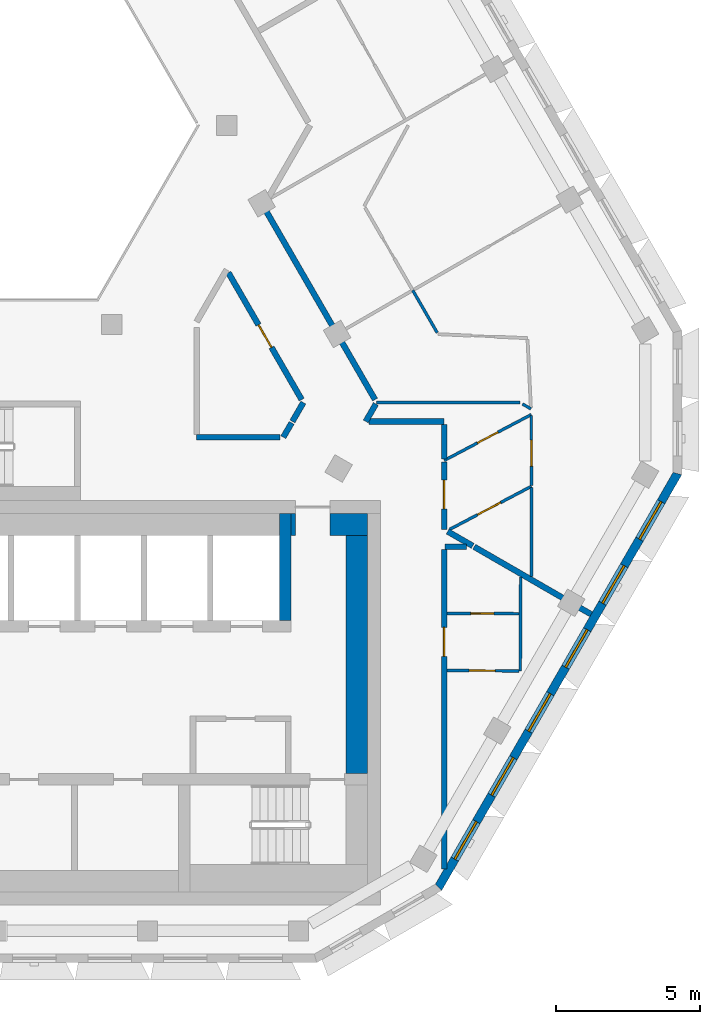
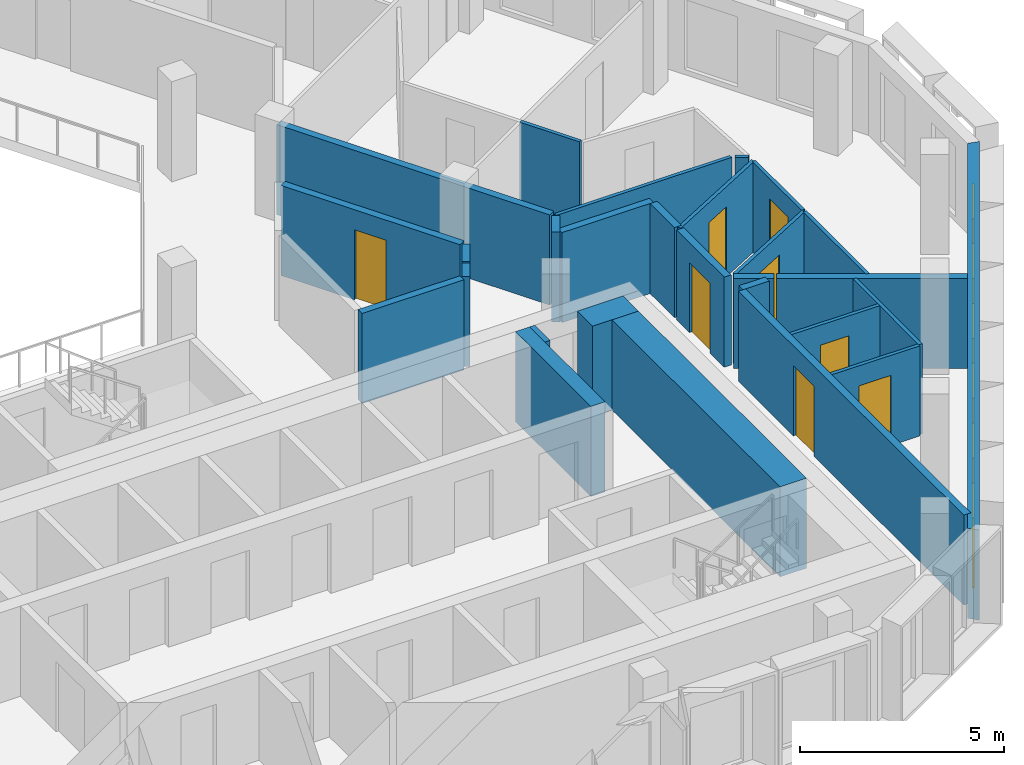
# One storey, part 6 of 16: 28 walls, 8 doors, 6 windows, 14 openings.
"""IFC4 building model written with IfcOpenShell, lengths in metres."""

from ifc_helpers import new_model, si_unit, direction, frame, frame_2d, origin, place, context, subcontext, project, spatial, polyline, rectangle, outline, extrude, material, layer, layer_set, type_object, element, fill, save


model = new_model("IFC4")

# Units and contexts
model_context = context("Model", 3, precision=1e-05, world=origin(), true_north=direction((0.0, 1.0)))
body_context = subcontext(model_context, "Body", "Model", "MODEL_VIEW")
ifc_project = project(units=[si_unit("LENGTHUNIT", "METRE"), si_unit("AREAUNIT", "SQUARE_METRE"), si_unit("VOLUMEUNIT", "CUBIC_METRE"), si_unit("PLANEANGLEUNIT", "RADIAN"), si_unit("MASSUNIT", "GRAM", prefix="KILO")], contexts=[model_context])

# Site, building, storey
site_placement = place(None, origin())
site = spatial("IfcSite", under=ifc_project, at=site_placement, CompositionType="ELEMENT")
building_placement = place(site_placement, origin())
building = spatial("IfcBuilding", under=site, at=building_placement, Name="Beryl Residences", CompositionType="ELEMENT")
storey_placement = place(building_placement, frame((0.0, 0.0, 220.800048828125)))
storey = spatial("IfcBuildingStorey", under=building, at=storey_placement, Name="L68", CompositionType="ELEMENT", Elevation=220.800048828125)

# Wall, openings, windows
ifc_material_1 = material(Name="Composite metal panel with mineral wool insulation")
ifc_layer_1 = layer(ifc_material_1, 0.300048828125)
ifc_layer_set_1 = layer_set([ifc_layer_1], Name="ES1 pale metal composite panel wall 300 mm")
wall_type_1 = type_object("IfcWallType", Name="ES1 pale metal composite panel wall 300 mm", PredefinedType="SOLIDWALL", material=ifc_layer_set_1)
wall_1_placement = place(storey_placement, frame((15.284912109375, -18.425048828125, 0.0), z_axis=(0.0, 0.0, 1.0), x_axis=(0.500012653391, 0.866018098222, 0.0)))
wall_1 = element("IfcWall", 1, at=wall_1_placement, inside=storey, type_object=wall_type_1, Name="ES1 external wall L68 SE", PredefinedType="SOLIDWALL", context=body_context, shape_type="SweptSolid", body=[
    extrude(outline(polyline([(0.0, -0.14990234375), (16.6279296875, -0.14990234375), (16.547607421875, 0.14990234375), (0.080322265625, 0.14990234375), (0.0, -0.14990234375)])), origin(), (0.0, 0.0, 1.0), 2.699951171875),
])
opening_1_placement = place(wall_1_placement, frame((1.1650390625, 0.0, 0.14990234375)))
opening_1 = element("IfcOpeningElement", 2, at=opening_1_placement, cuts=wall_1, Name="Opening W1", PredefinedType="OPENING", context=body_context, shape_type="SweptSolid", body=[
    extrude(rectangle(XDim=1.5, YDim=2.10009765625, at=frame_2d((0.75, 1.050048828125))), frame((0.0, 0.159912109375, 0.0), z_axis=(0.0, -1.0, 0.0), x_axis=(1.0, 0.0, 0.0)), (0.0, 0.0, 1.0), 0.320068359375),
])
opening_2_placement = place(wall_1_placement, frame((3.72412109375, 0.0, 0.14990234375)))
opening_2 = element("IfcOpeningElement", 3, at=opening_2_placement, cuts=wall_1, Name="Opening W1", PredefinedType="OPENING", context=body_context, shape_type="SweptSolid", body=[
    extrude(rectangle(XDim=1.5, YDim=2.10009765625, at=frame_2d((0.75, 1.050048828125))), frame((0.0, 0.159912109375, 0.0), z_axis=(0.0, -1.0, 0.0), x_axis=(1.0, 0.0, 0.0)), (0.0, 0.0, 1.0), 0.320068359375),
])
opening_3_placement = place(wall_1_placement, frame((6.282958984375, 0.0, 0.14990234375)))
opening_3 = element("IfcOpeningElement", 4, at=opening_3_placement, cuts=wall_1, Name="Opening W1", PredefinedType="OPENING", context=body_context, shape_type="SweptSolid", body=[
    extrude(rectangle(XDim=1.5, YDim=2.10009765625, at=frame_2d((0.75, 1.050048828125))), frame((0.0, 0.159912109375, 0.0), z_axis=(0.0, -1.0, 0.0), x_axis=(1.0, 0.0, 0.0)), (0.0, 0.0, 1.0), 0.320068359375),
])
opening_4_placement = place(wall_1_placement, frame((8.843017578125, 0.0, 0.14990234375)))
opening_4 = element("IfcOpeningElement", 5, at=opening_4_placement, cuts=wall_1, Name="Opening W1", PredefinedType="OPENING", context=body_context, shape_type="SweptSolid", body=[
    extrude(rectangle(XDim=1.5, YDim=2.10009765625, at=frame_2d((0.75, 1.050048828125))), frame((0.0, 0.159912109375, 0.0), z_axis=(0.0, -1.0, 0.0), x_axis=(1.0, 0.0, 0.0)), (0.0, 0.0, 1.0), 0.320068359375),
])
opening_5_placement = place(wall_1_placement, frame((11.402099609375, 0.0, 0.14990234375)))
opening_5 = element("IfcOpeningElement", 6, at=opening_5_placement, cuts=wall_1, Name="Opening W1", PredefinedType="OPENING", context=body_context, shape_type="SweptSolid", body=[
    extrude(rectangle(XDim=1.5, YDim=2.10009765625, at=frame_2d((0.75, 1.050048828125))), frame((0.0, 0.159912109375, 0.0), z_axis=(0.0, -1.0, 0.0), x_axis=(1.0, 0.0, 0.0)), (0.0, 0.0, 1.0), 0.320068359375),
])
opening_6_placement = place(wall_1_placement, frame((13.9619140625, 0.0, 0.14990234375)))
opening_6 = element("IfcOpeningElement", 7, at=opening_6_placement, cuts=wall_1, Name="Opening W1", PredefinedType="OPENING", context=body_context, shape_type="SweptSolid", body=[
    extrude(rectangle(XDim=1.5, YDim=2.10009765625, at=frame_2d((0.75, 1.050048828125))), frame((0.0, 0.159912109375, 0.0), z_axis=(0.0, -1.0, 0.0), x_axis=(1.0, 0.0, 0.0)), (0.0, 0.0, 1.0), 0.320068359375),
])
ifc_material_2 = material(Name="Aluminium and clear glass", Category="aluminium")
window_type = type_object("IfcWindowType", Name="W1 cell window 1500 x 2100 mm", PartitioningType="SINGLE_PANEL", PredefinedType="WINDOW", material=ifc_material_2)
window_1_placement = place(opening_1_placement, origin())
window_1 = element("IfcWindow", 8, at=window_1_placement, inside=storey, type_object=window_type, Name="W1 window L68 SE 1", OverallHeight=2.10009765625, OverallWidth=1.5, PartitioningType="SINGLE_PANEL", PredefinedType="WINDOW", context=body_context, shape_type="SweptSolid", body=[
    extrude(rectangle(XDim=1.5, YDim=2.10009765625, at=frame_2d((0.75, 1.050048828125))), frame((0.0, 0.030029296875, 0.0), z_axis=(0.0, -1.0, 0.0), x_axis=(1.0, 0.0, 0.0)), (0.0, 0.0, 1.0), 0.06005859375),
])
fill(opening_1, window_1)
window_2_placement = place(opening_2_placement, origin())
window_2 = element("IfcWindow", 9, at=window_2_placement, inside=storey, type_object=window_type, Name="W1 window L68 SE 2", OverallHeight=2.10009765625, OverallWidth=1.5, PartitioningType="SINGLE_PANEL", PredefinedType="WINDOW", context=body_context, shape_type="SweptSolid", body=[
    extrude(rectangle(XDim=1.5, YDim=2.10009765625, at=frame_2d((0.75, 1.050048828125))), frame((0.0, 0.030029296875, 0.0), z_axis=(0.0, -1.0, 0.0), x_axis=(1.0, 0.0, 0.0)), (0.0, 0.0, 1.0), 0.06005859375),
])
fill(opening_2, window_2)
window_3_placement = place(opening_3_placement, origin())
window_3 = element("IfcWindow", 10, at=window_3_placement, inside=storey, type_object=window_type, Name="W1 window L68 SE 3", OverallHeight=2.10009765625, OverallWidth=1.5, PartitioningType="SINGLE_PANEL", PredefinedType="WINDOW", context=body_context, shape_type="SweptSolid", body=[
    extrude(rectangle(XDim=1.5, YDim=2.10009765625, at=frame_2d((0.75, 1.050048828125))), frame((0.0, 0.030029296875, 0.0), z_axis=(0.0, -1.0, 0.0), x_axis=(1.0, 0.0, 0.0)), (0.0, 0.0, 1.0), 0.06005859375),
])
fill(opening_3, window_3)
window_4_placement = place(opening_4_placement, origin())
window_4 = element("IfcWindow", 11, at=window_4_placement, inside=storey, type_object=window_type, Name="W1 window L68 SE 4", OverallHeight=2.10009765625, OverallWidth=1.5, PartitioningType="SINGLE_PANEL", PredefinedType="WINDOW", context=body_context, shape_type="SweptSolid", body=[
    extrude(rectangle(XDim=1.5, YDim=2.10009765625, at=frame_2d((0.75, 1.050048828125))), frame((0.0, 0.030029296875, 0.0), z_axis=(0.0, -1.0, 0.0), x_axis=(1.0, 0.0, 0.0)), (0.0, 0.0, 1.0), 0.06005859375),
])
fill(opening_4, window_4)
window_5_placement = place(opening_5_placement, origin())
window_5 = element("IfcWindow", 12, at=window_5_placement, inside=storey, type_object=window_type, Name="W1 window L68 SE 5", OverallHeight=2.10009765625, OverallWidth=1.5, PartitioningType="SINGLE_PANEL", PredefinedType="WINDOW", context=body_context, shape_type="SweptSolid", body=[
    extrude(rectangle(XDim=1.5, YDim=2.10009765625, at=frame_2d((0.75, 1.050048828125))), frame((0.0, 0.030029296875, 0.0), z_axis=(0.0, -1.0, 0.0), x_axis=(1.0, 0.0, 0.0)), (0.0, 0.0, 1.0), 0.06005859375),
])
fill(opening_5, window_5)
window_6_placement = place(opening_6_placement, origin())
window_6 = element("IfcWindow", 13, at=window_6_placement, inside=storey, type_object=window_type, Name="W1 window L68 SE 6", OverallHeight=2.10009765625, OverallWidth=1.5, PartitioningType="SINGLE_PANEL", PredefinedType="WINDOW", context=body_context, shape_type="SweptSolid", body=[
    extrude(rectangle(XDim=1.5, YDim=2.10009765625, at=frame_2d((0.75, 1.050048828125))), frame((0.0, 0.030029296875, 0.0), z_axis=(0.0, -1.0, 0.0), x_axis=(1.0, 0.0, 0.0)), (0.0, 0.0, 1.0), 0.06005859375),
])
fill(opening_6, window_6)

# Wall, opening, door
ifc_material_3 = material(Name="Gypsum board partition on steel studs", Category="steel")
ifc_layer_2 = layer(ifc_material_3, 0.10009765625)
ifc_layer_set_2 = layer_set([ifc_layer_2], Name="PT1 partition 100 mm gypsum board on steel studs")
wall_type_2 = type_object("IfcWallType", Name="PT1 partition 100 mm gypsum board on steel studs", PredefinedType="PARTITIONING", material=ifc_layer_set_2)
wall_2_placement = place(storey_placement, frame((15.60009765625, -8.90087890625, 0.0), z_axis=(0.0, 0.0, 1.0), x_axis=(0.999986038514, -0.005284200615, 0.0)))
wall_2 = element("IfcWall", 14, at=wall_2_placement, inside=storey, type_object=wall_type_2, Name="Wall PT1 L68 001", PredefinedType="PARTITIONING", context=body_context, shape_type="SweptSolid", body=[
    extrude(rectangle(XDim=2.494873046875, YDim=0.10009765625, at=frame_2d((1.24755859375, 0.0))), origin(), (0.0, 0.0, 1.0), 2.699951171875),
])
opening_7_placement = place(wall_2_placement, frame((0.822998046875, 0.0, 0.0)))
opening_7 = element("IfcOpeningElement", 15, at=opening_7_placement, cuts=wall_2, Name="Opening D1903", PredefinedType="OPENING", context=body_context, shape_type="SweptSolid", body=[
    extrude(rectangle(XDim=0.800048828125, YDim=2.10009765625, at=frame_2d((0.39990234375, 1.050048828125))), frame((0.0, 0.06005859375, 0.0), z_axis=(0.0, -1.0, 0.0), x_axis=(1.0, 0.0, 0.0)), (0.0, 0.0, 1.0), 0.1201171875),
])
ifc_material_4 = material(Name="Timber door leaf", Category="wood")
door_type_1 = type_object("IfcDoorType", Name="D3 bathroom door 800 x 2100 mm", OperationType="SINGLE_SWING_LEFT", PredefinedType="DOOR", material=ifc_material_4)
door_1_placement = place(opening_7_placement, origin())
door_1 = element("IfcDoor", 16, at=door_1_placement, inside=storey, type_object=door_type_1, Name="Door D1903 L68 001", OperationType="SINGLE_SWING_LEFT", OverallHeight=2.10009765625, OverallWidth=0.800048828125, PredefinedType="DOOR", context=body_context, shape_type="SweptSolid", body=[
    extrude(rectangle(XDim=0.800048828125, YDim=2.10009765625, at=frame_2d((0.39990234375, 1.050048828125))), frame((0.0, 0.02490234375, 0.0), z_axis=(0.0, -1.0, 0.0), x_axis=(1.0, 0.0, 0.0)), (0.0, 0.0, 1.0), 0.050048828125),
])
fill(opening_7, door_1)

wall_3_placement = place(storey_placement, frame((15.60009765625, -10.881103515625, 0.0), z_axis=(0.0, 0.0, 1.0), x_axis=(0.999986431575, -0.005209286502, 0.0)))
wall_3 = element("IfcWall", 17, at=wall_3_placement, inside=storey, type_object=wall_type_2, Name="Wall PT1 L68 002", PredefinedType="PARTITIONING", context=body_context, shape_type="SweptSolid", body=[
    extrude(rectangle(XDim=2.48388671875, YDim=0.10009765625, at=frame_2d((1.241943359375, 0.0))), origin(), (0.0, 0.0, 1.0), 2.699951171875),
])
opening_8_placement = place(wall_3_placement, frame((0.76806640625, 0.0, 0.0)))
opening_8 = element("IfcOpeningElement", 18, at=opening_8_placement, cuts=wall_3, Name="Opening D1902", PredefinedType="OPENING", context=body_context, shape_type="SweptSolid", body=[
    extrude(rectangle(XDim=0.89990234375, YDim=2.10009765625, at=frame_2d((0.449951171875, 1.050048828125))), frame((0.0, 0.06005859375, 0.0), z_axis=(0.0, -1.0, 0.0), x_axis=(1.0, 0.0, 0.0)), (0.0, 0.0, 1.0), 0.1201171875),
])
ifc_material_5 = material(Name="Timber door leaf", Category="wood")
door_type_2 = type_object("IfcDoorType", Name="D2 room door 900 x 2100 mm", OperationType="SINGLE_SWING_LEFT", PredefinedType="DOOR", material=ifc_material_5)
door_2_placement = place(opening_8_placement, origin())
door_2 = element("IfcDoor", 19, at=door_2_placement, inside=storey, type_object=door_type_2, Name="Door D1902 L68 001", OperationType="SINGLE_SWING_RIGHT", OverallHeight=2.10009765625, OverallWidth=0.89990234375, PredefinedType="DOOR", context=body_context, shape_type="SweptSolid", body=[
    extrude(rectangle(XDim=0.89990234375, YDim=2.10009765625, at=frame_2d((0.449951171875, 1.050048828125))), frame((0.0, 0.02490234375, 0.0), z_axis=(0.0, -1.0, 0.0), x_axis=(1.0, 0.0, 0.0)), (0.0, 0.0, 1.0), 0.050048828125),
])
fill(opening_8, door_2)

wall_4_placement = place(storey_placement, frame((18.514892578125, -2.052978515625, 0.0), z_axis=(0.0, 0.0, 1.0), x_axis=(0.003338710651, -0.99999442649, 0.0)))
wall_4 = element("IfcWall", 20, at=wall_4_placement, inside=storey, type_object=wall_type_2, Name="Wall PT1 L68 010", PredefinedType="PARTITIONING", context=body_context, shape_type="SweptSolid", body=[
    extrude(rectangle(XDim=2.4130859375, YDim=0.10009765625, at=frame_2d((1.20654296875, 0.0))), origin(), (0.0, 0.0, 1.0), 2.699951171875),
])
opening_9_placement = place(wall_4_placement, frame((0.84912109375, 0.0, 0.0)))
opening_9 = element("IfcOpeningElement", 21, at=opening_9_placement, cuts=wall_4, Name="Opening D1907", PredefinedType="OPENING", context=body_context, shape_type="SweptSolid", body=[
    extrude(rectangle(XDim=0.89990234375, YDim=2.10009765625, at=frame_2d((0.449951171875, 1.050048828125))), frame((0.0, 0.06005859375, 0.0), z_axis=(0.0, -1.0, 0.0), x_axis=(1.0, 0.0, 0.0)), (0.0, 0.0, 1.0), 0.1201171875),
])
door_3_placement = place(opening_9_placement, origin())
door_3 = element("IfcDoor", 22, at=door_3_placement, inside=storey, type_object=door_type_2, Name="Door D1907 L68 001", OperationType="SINGLE_SWING_LEFT", OverallHeight=2.10009765625, OverallWidth=0.89990234375, PredefinedType="DOOR", context=body_context, shape_type="SweptSolid", body=[
    extrude(rectangle(XDim=0.89990234375, YDim=2.10009765625, at=frame_2d((0.449951171875, 1.050048828125))), frame((0.0, 0.02490234375, 0.0), z_axis=(0.0, -1.0, 0.0), x_axis=(1.0, 0.0, 0.0)), (0.0, 0.0, 1.0), 0.050048828125),
])
fill(opening_9, door_3)

# Walls
wall_5_placement = place(storey_placement, frame((18.2119140625, -1.64892578125, 0.0), z_axis=(0.0, 0.0, 1.0), x_axis=(0.865622947871, -0.500696427109, 0.0)))
element("IfcWall", 23, at=wall_5_placement, inside=storey, type_object=wall_type_2, Name="Wall PT1 L68 016", PredefinedType="PARTITIONING", context=body_context, shape_type="SweptSolid", body=[
    extrude(rectangle(XDim=0.33984375, YDim=0.10009765625, at=frame_2d((0.169921875, 0.0))), origin(), (0.0, 0.0, 1.0), 2.699951171875),
])
wall_6_placement = place(storey_placement, frame((13.1630859375, -1.59912109375, 0.0), z_axis=(0.0, 0.0, 1.0), x_axis=(1.0, 0.0, 0.0)))
element("IfcWall", 24, at=wall_6_placement, inside=storey, type_object=wall_type_2, Name="Wall PT1 L68 020", PredefinedType="PARTITIONING", context=body_context, shape_type="SweptSolid", body=[
    extrude(rectangle(XDim=4.9619140625, YDim=0.10009765625, at=frame_2d((2.48095703125, 0.0))), origin(), (0.0, 0.0, 1.0), 2.699951171875),
])
wall_7_placement = place(storey_placement, frame((18.135009765625, -10.89306640625, 0.0), z_axis=(0.0, 0.0, 1.0), x_axis=(0.005255182688, 0.999986191432, 0.0)))
element("IfcWall", 25, at=wall_7_placement, inside=storey, type_object=wall_type_2, Name="Wall PT1 L68 032", PredefinedType="PARTITIONING", context=body_context, shape_type="SweptSolid", body=[
    extrude(rectangle(XDim=3.251953125, YDim=0.10009765625, at=frame_2d((1.6259765625, 0.0))), origin(), (0.0, 0.0, 1.0), 2.699951171875),
])
wall_8_placement = place(storey_placement, frame((18.52392578125, -7.625, 0.0), z_axis=(0.0, 0.0, 1.0), x_axis=(0.0, 1.0, 0.0)))
element("IfcWall", 26, at=wall_8_placement, inside=storey, type_object=wall_type_2, Name="Wall PT1 L68 034", PredefinedType="PARTITIONING", context=body_context, shape_type="SweptSolid", body=[
    extrude(rectangle(XDim=3.089111328125, YDim=0.10009765625, at=frame_2d((1.54443359375, 0.0))), origin(), (0.0, 0.0, 1.0), 2.699951171875),
])

# Wall, opening, door
wall_9_placement = place(storey_placement, frame((15.5, -3.60693359375, 0.0), z_axis=(0.0, 0.0, 1.0), x_axis=(0.884626030835, 0.466301174745, 0.0)))
wall_9 = element("IfcWall", 27, at=wall_9_placement, inside=storey, type_object=wall_type_2, Name="Wall PT1 L68 036", PredefinedType="PARTITIONING", context=body_context, shape_type="SweptSolid", body=[
    extrude(rectangle(XDim=3.409423828125, YDim=0.10009765625, at=frame_2d((1.70458984375, 0.0))), origin(), (0.0, 0.0, 1.0), 2.699951171875),
])
opening_10_placement = place(wall_9_placement, frame((1.304931640625, 0.0, 0.0)))
opening_10 = element("IfcOpeningElement", 28, at=opening_10_placement, cuts=wall_9, Name="Opening D1905", PredefinedType="OPENING", context=body_context, shape_type="SweptSolid", body=[
    extrude(rectangle(XDim=0.800048828125, YDim=2.10009765625, at=frame_2d((0.39990234375, 1.050048828125))), frame((0.0, 0.06005859375, 0.0), z_axis=(0.0, -1.0, 0.0), x_axis=(1.0, 0.0, 0.0)), (0.0, 0.0, 1.0), 0.1201171875),
])
door_4_placement = place(opening_10_placement, origin())
door_4 = element("IfcDoor", 29, at=door_4_placement, inside=storey, type_object=door_type_1, Name="Door D1905 L68 001", OperationType="SINGLE_SWING_LEFT", OverallHeight=2.10009765625, OverallWidth=0.800048828125, PredefinedType="DOOR", context=body_context, shape_type="SweptSolid", body=[
    extrude(rectangle(XDim=0.800048828125, YDim=2.10009765625, at=frame_2d((0.39990234375, 1.050048828125))), frame((0.0, 0.02490234375, 0.0), z_axis=(0.0, -1.0, 0.0), x_axis=(1.0, 0.0, 0.0)), (0.0, 0.0, 1.0), 0.050048828125),
])
fill(opening_10, door_4)

wall_10_placement = place(storey_placement, frame((15.695068359375, -5.991943359375, 0.0), z_axis=(0.0, 0.0, 1.0), x_axis=(0.884522140369, 0.466498213498, 0.0)))
wall_10 = element("IfcWall", 30, at=wall_10_placement, inside=storey, type_object=wall_type_2, Name="Wall PT1 L68 037", PredefinedType="PARTITIONING", context=body_context, shape_type="SweptSolid", body=[
    extrude(rectangle(XDim=3.1982421875, YDim=0.10009765625, at=frame_2d((1.59912109375, 0.0))), origin(), (0.0, 0.0, 1.0), 2.699951171875),
])
opening_11_placement = place(wall_10_placement, frame((1.090087890625, 0.0, 0.0)))
opening_11 = element("IfcOpeningElement", 31, at=opening_11_placement, cuts=wall_10, Name="Opening D1906", PredefinedType="OPENING", context=body_context, shape_type="SweptSolid", body=[
    extrude(rectangle(XDim=0.89990234375, YDim=2.10009765625, at=frame_2d((0.449951171875, 1.050048828125))), frame((0.0, 0.06005859375, 0.0), z_axis=(0.0, -1.0, 0.0), x_axis=(1.0, 0.0, 0.0)), (0.0, 0.0, 1.0), 0.1201171875),
])
door_5_placement = place(opening_11_placement, origin())
door_5 = element("IfcDoor", 32, at=door_5_placement, inside=storey, type_object=door_type_2, Name="Door D1906 L68 001", OperationType="SINGLE_SWING_RIGHT", OverallHeight=2.10009765625, OverallWidth=0.89990234375, PredefinedType="DOOR", context=body_context, shape_type="SweptSolid", body=[
    extrude(rectangle(XDim=0.89990234375, YDim=2.10009765625, at=frame_2d((0.449951171875, 1.050048828125))), frame((0.0, 0.02490234375, 0.0), z_axis=(0.0, -1.0, 0.0), x_axis=(1.0, 0.0, 0.0)), (0.0, 0.0, 1.0), 0.050048828125),
])
fill(opening_11, door_5)

# Walls
wall_11_placement = place(storey_placement, frame((14.410888671875, 2.2880859375, 0.0), z_axis=(0.0, 0.0, 1.0), x_axis=(0.500009005995, -0.866020204108, 0.0)))
element("IfcWall", 33, at=wall_11_placement, inside=storey, type_object=wall_type_2, Name="Wall PT1 L68 044", PredefinedType="PARTITIONING", context=body_context, shape_type="SweptSolid", body=[
    extrude(rectangle(XDim=1.6962890625, YDim=0.10009765625, at=frame_2d((0.84814453125, 0.0))), origin(), (0.0, 0.0, 1.0), 2.699951171875),
])
ifc_material_6 = material(Name="Concrete masonry", Category="masonry")
ifc_layer_3 = layer(ifc_material_6, 0.14990234375)
ifc_layer_set_3 = layer_set([ifc_layer_3], Name="PT13-150 lobby wall 150 mm")
wall_type_3 = type_object("IfcWallType", Name="PT13-150 lobby wall 150 mm", PredefinedType="PARTITIONING", material=ifc_layer_set_3)
wall_12_placement = place(storey_placement, frame((10.27490234375, -6.199951171875, 0.0), z_axis=(0.0, 0.0, 1.0), x_axis=(0.0, 1.0, 0.0)))
element("IfcWall", 34, at=wall_12_placement, inside=storey, type_object=wall_type_3, Name="Lobby wall 29", PredefinedType="PARTITIONING", context=body_context, shape_type="SweptSolid", body=[
    extrude(rectangle(XDim=0.75, YDim=0.14990234375, at=frame_2d((0.375, 0.0))), origin(), (0.0, 0.0, 1.0), 2.699951171875),
])
ifc_material_7 = material(Name="Concrete masonry", Category="masonry")
ifc_layer_4 = layer(ifc_material_7, 0.75)
ifc_layer_set_4 = layer_set([ifc_layer_4], Name="PT13-750 lobby wall 750 mm")
wall_type_4 = type_object("IfcWallType", Name="PT13-750 lobby wall 750 mm", PredefinedType="PARTITIONING", material=ifc_layer_set_4)
wall_13_placement = place(storey_placement, frame((11.550048828125, -5.824951171875, 0.0), z_axis=(0.0, 0.0, 1.0), x_axis=(1.0, 0.0, 0.0)))
element("IfcWall", 35, at=wall_13_placement, inside=storey, type_object=wall_type_4, Name="Lobby wall 30", PredefinedType="PARTITIONING", context=body_context, shape_type="SweptSolid", body=[
    extrude(rectangle(XDim=1.300048828125, YDim=0.75, at=frame_2d((0.64990234375, 0.0))), origin(), (0.0, 0.0, 1.0), 2.699951171875),
])
wall_14_placement = place(storey_placement, frame((12.47509765625, -14.449951171875, 0.0), z_axis=(0.0, 0.0, 1.0), x_axis=(0.0, 1.0, 0.0)))
element("IfcWall", 36, at=wall_14_placement, inside=storey, type_object=wall_type_4, Name="Lobby wall 32", PredefinedType="PARTITIONING", context=body_context, shape_type="SweptSolid", body=[
    extrude(rectangle(XDim=8.25, YDim=0.75, at=frame_2d((4.125, 0.0))), origin(), (0.0, 0.0, 1.0), 2.699951171875),
])
ifc_material_8 = material(Name="Acoustic double stud gypsum board wall")
ifc_layer_5 = layer(ifc_material_8, 0.199951171875)
ifc_layer_set_5 = layer_set([ifc_layer_5], Name="PT3 party wall 200 mm acoustic double stud")
wall_type_5 = type_object("IfcWallType", Name="PT3 party wall 200 mm acoustic double stud", PredefinedType="PARTITIONING", material=ifc_layer_set_5)
wall_15_placement = place(storey_placement, frame((15.530029296875, -6.591064453125, 0.0), z_axis=(0.0, 0.0, 1.0), x_axis=(0.999992350786, -0.003911312976, 0.0)))
element("IfcWall", 37, at=wall_15_placement, inside=storey, type_object=wall_type_5, Name="Wall PT3 L68 001", PredefinedType="PARTITIONING", context=body_context, shape_type="SweptSolid", body=[
    extrude(rectangle(XDim=0.7490234375, YDim=0.199951171875, at=frame_2d((0.37451171875, 0.0))), origin(), (0.0, 0.0, 1.0), 2.699951171875),
])
wall_16_placement = place(storey_placement, frame((15.62109375, -6.06494140625, 0.0), z_axis=(0.0, 0.0, 1.0), x_axis=(0.866254619292, -0.49960277677, 0.0)))
element("IfcWall", 38, at=wall_16_placement, inside=storey, type_object=wall_type_5, Name="Wall PT3 L68 005", PredefinedType="PARTITIONING", context=body_context, shape_type="SweptSolid", body=[
    extrude(rectangle(XDim=1.000732421875, YDim=0.199951171875, at=frame_2d((0.50048828125, 0.0))), origin(), (0.0, 0.0, 1.0), 2.699951171875),
])
wall_17_placement = place(storey_placement, frame((16.541015625, -6.595947265625, 0.0), z_axis=(0.0, 0.0, 1.0), x_axis=(0.866040404911, -0.499974016386, 0.0)))
element("IfcWall", 39, at=wall_17_placement, inside=storey, type_object=wall_type_5, Name="Wall PT3 L68 006", PredefinedType="PARTITIONING", context=body_context, shape_type="SweptSolid", body=[
    extrude(rectangle(XDim=4.676513671875, YDim=0.199951171875, at=frame_2d((2.33837890625, 0.0))), origin(), (0.0, 0.0, 1.0), 2.699951171875),
])

# Wall, opening, door
ifc_material_9 = material(Name="Double stud gypsum board wall")
ifc_layer_6 = layer(ifc_material_9, 0.199951171875)
ifc_layer_set_6 = layer_set([ifc_layer_6], Name="PT4 corridor wall 200 mm double stud")
wall_type_6 = type_object("IfcWallType", Name="PT4 corridor wall 200 mm double stud", PredefinedType="PARTITIONING", material=ifc_layer_set_6)
wall_18_placement = place(storey_placement, frame((8.02587890625, 2.89892578125, 0.0), z_axis=(0.0, 0.0, 1.0), x_axis=(0.499986018985, -0.866033475577, 0.0)))
wall_18 = element("IfcWall", 40, at=wall_18_placement, inside=storey, type_object=wall_type_6, Name="Wall PT4 L68 005", PredefinedType="PARTITIONING", context=body_context, shape_type="SweptSolid", body=[
    extrude(rectangle(XDim=5.078369140625, YDim=0.199951171875, at=frame_2d((2.5390625, 0.0))), origin(), (0.0, 0.0, 1.0), 2.699951171875),
])
opening_12_placement = place(wall_18_placement, frame((2.089111328125, 0.0, 0.0)))
opening_12 = element("IfcOpeningElement", 41, at=opening_12_placement, cuts=wall_18, Name="Opening D1938", PredefinedType="OPENING", context=body_context, shape_type="SweptSolid", body=[
    extrude(rectangle(XDim=0.89990234375, YDim=2.10009765625, at=frame_2d((0.449951171875, 1.050048828125))), frame((0.0, 0.10986328125, 0.0), z_axis=(0.0, -1.0, 0.0), x_axis=(1.0, 0.0, 0.0)), (0.0, 0.0, 1.0), 0.219970703125),
])
door_6_placement = place(opening_12_placement, origin())
door_6 = element("IfcDoor", 42, at=door_6_placement, inside=storey, type_object=door_type_2, Name="Door D1938 L68 001", OperationType="SINGLE_SWING_RIGHT", OverallHeight=2.10009765625, OverallWidth=0.89990234375, PredefinedType="DOOR", context=body_context, shape_type="SweptSolid", body=[
    extrude(rectangle(XDim=0.89990234375, YDim=2.10009765625, at=frame_2d((0.449951171875, 1.050048828125))), frame((0.0, 0.02490234375, 0.0), z_axis=(0.0, -1.0, 0.0), x_axis=(1.0, 0.0, 0.0)), (0.0, 0.0, 1.0), 0.050048828125),
])
fill(opening_12, door_6)

# Walls
wall_19_placement = place(storey_placement, frame((9.238037109375, 5.199951171875, 0.0), z_axis=(0.0, 0.0, 1.0), x_axis=(0.500025705601, -0.86601056214, 0.0)))
element("IfcWall", 43, at=wall_19_placement, inside=storey, type_object=wall_type_6, Name="Wall PT4 L68 006", PredefinedType="PARTITIONING", context=body_context, shape_type="SweptSolid", body=[
    extrude(rectangle(XDim=7.7353515625, YDim=0.199951171875, at=frame_2d((3.86767578125, 0.0))), origin(), (0.0, 0.0, 1.0), 2.699951171875),
])
wall_20_placement = place(storey_placement, frame((15.5, -2.35595703125, 0.0), z_axis=(0.0, 0.0, 1.0), x_axis=(0.0, -1.0, 0.0)))
element("IfcWall", 44, at=wall_20_placement, inside=storey, type_object=wall_type_6, Name="Wall PT4 L68 010", PredefinedType="PARTITIONING", context=body_context, shape_type="SweptSolid", body=[
    extrude(rectangle(XDim=1.195068359375, YDim=0.199951171875, at=frame_2d((0.59765625, 0.0))), origin(), (0.0, 0.0, 1.0), 2.699951171875),
])
wall_21_placement = place(storey_placement, frame((12.902099609375, -2.256103515625, 0.0), z_axis=(0.0, 0.0, 1.0), x_axis=(1.0, 0.0, 0.0)))
element("IfcWall", 45, at=wall_21_placement, inside=storey, type_object=wall_type_6, Name="Wall PT4 L68 013", PredefinedType="PARTITIONING", context=body_context, shape_type="SweptSolid", body=[
    extrude(rectangle(XDim=2.597900390625, YDim=0.199951171875, at=frame_2d((1.298828125, 0.0))), origin(), (0.0, 0.0, 1.0), 2.699951171875),
])
wall_22_placement = place(storey_placement, frame((6.928955078125, -2.800048828125, 0.0), z_axis=(0.0, 0.0, 1.0), x_axis=(1.0, 0.0, 0.0)))
element("IfcWall", 46, at=wall_22_placement, inside=storey, type_object=wall_type_6, Name="Wall PT4 L68 016", PredefinedType="PARTITIONING", context=body_context, shape_type="SweptSolid", body=[
    extrude(rectangle(XDim=2.885009765625, YDim=0.199951171875, at=frame_2d((1.4423828125, 0.0))), origin(), (0.0, 0.0, 1.0), 2.699951171875),
])
wall_23_placement = place(storey_placement, frame((9.929931640625, -2.800048828125, 0.0), z_axis=(0.0, 0.0, 1.0), x_axis=(0.500164219654, 0.865930570761, 0.0)))
element("IfcWall", 47, at=wall_23_placement, inside=storey, type_object=wall_type_6, Name="Wall PT4 L68 020", PredefinedType="PARTITIONING", context=body_context, shape_type="SweptSolid", body=[
    extrude(rectangle(XDim=0.573974609375, YDim=0.199951171875, at=frame_2d((0.287109375, 0.0))), origin(), (0.0, 0.0, 1.0), 2.699951171875),
])
wall_24_placement = place(storey_placement, frame((10.243896484375, -2.2548828125, 0.0), z_axis=(0.0, 0.0, 1.0), x_axis=(0.50109986513, 0.865389464442, 0.0)))
element("IfcWall", 48, at=wall_24_placement, inside=storey, type_object=wall_type_6, Name="Wall PT4 L68 021", PredefinedType="PARTITIONING", context=body_context, shape_type="SweptSolid", body=[
    extrude(rectangle(XDim=0.756591796875, YDim=0.199951171875, at=frame_2d((0.37841796875, 0.0))), origin(), (0.0, 0.0, 1.0), 2.699951171875),
])
wall_25_placement = place(storey_placement, frame((12.784912109375, -2.25390625, 0.0), z_axis=(0.0, 0.0, 1.0), x_axis=(0.500871040665, 0.865521923826, 0.0)))
element("IfcWall", 49, at=wall_25_placement, inside=storey, type_object=wall_type_6, Name="Wall PT4 L68 022", PredefinedType="PARTITIONING", context=body_context, shape_type="SweptSolid", body=[
    extrude(rectangle(XDim=0.698974609375, YDim=0.199951171875, at=frame_2d((0.349609375, 0.0))), origin(), (0.0, 0.0, 1.0), 2.699951171875),
])

# Wall, opening, door
wall_26_placement = place(storey_placement, frame((15.5, -17.751953125, 0.0), z_axis=(0.0, 0.0, 1.0), x_axis=(0.0, 1.0, 0.0)))
wall_26 = element("IfcWall", 50, at=wall_26_placement, inside=storey, type_object=wall_type_6, Name="Wall PT4 L68 026", PredefinedType="PARTITIONING", context=body_context, shape_type="SweptSolid", body=[
    extrude(rectangle(XDim=11.06201171875, YDim=0.199951171875, at=frame_2d((5.531005859375, 0.0))), origin(), (0.0, 0.0, 1.0), 2.699951171875),
])
opening_13_placement = place(wall_26_placement, frame((7.361083984375, 0.0, 0.0)))
opening_13 = element("IfcOpeningElement", 51, at=opening_13_placement, cuts=wall_26, Name="Opening D1901", PredefinedType="OPENING", context=body_context, shape_type="SweptSolid", body=[
    extrude(rectangle(XDim=1.0, YDim=2.10009765625, at=frame_2d((0.5, 1.050048828125))), frame((0.0, 0.10986328125, 0.0), z_axis=(0.0, -1.0, 0.0), x_axis=(1.0, 0.0, 0.0)), (0.0, 0.0, 1.0), 0.219970703125),
])
ifc_material_10 = material(Name="Timber door leaf", Category="wood")
door_type_3 = type_object("IfcDoorType", Name="D1 flat entrance door 1000 x 2100 mm", OperationType="SINGLE_SWING_LEFT", PredefinedType="DOOR", material=ifc_material_10)
door_7_placement = place(opening_13_placement, origin())
door_7 = element("IfcDoor", 52, at=door_7_placement, inside=storey, type_object=door_type_3, Name="Door D1901 L68 001", OperationType="SINGLE_SWING_LEFT", OverallHeight=2.10009765625, OverallWidth=1.0, PredefinedType="DOOR", context=body_context, shape_type="SweptSolid", body=[
    extrude(rectangle(XDim=1.0, YDim=2.10009765625, at=frame_2d((0.5, 1.050048828125))), frame((0.0, 0.02490234375, 0.0), z_axis=(0.0, -1.0, 0.0), x_axis=(1.0, 0.0, 0.0)), (0.0, 0.0, 1.0), 0.050048828125),
])
fill(opening_13, door_7)

wall_27_placement = place(storey_placement, frame((15.5, -5.9951171875, 0.0), z_axis=(0.0, 0.0, 1.0), x_axis=(0.0, 1.0, 0.0)))
wall_27 = element("IfcWall", 53, at=wall_27_placement, inside=storey, type_object=wall_type_6, Name="Wall PT4 L68 027", PredefinedType="PARTITIONING", context=body_context, shape_type="SweptSolid", body=[
    extrude(rectangle(XDim=2.3310546875, YDim=0.199951171875, at=frame_2d((1.16552734375, 0.0))), origin(), (0.0, 0.0, 1.0), 2.699951171875),
])
opening_14_placement = place(wall_27_placement, frame((0.708984375, 0.0, 0.0)))
opening_14 = element("IfcOpeningElement", 54, at=opening_14_placement, cuts=wall_27, Name="Opening D1904", PredefinedType="OPENING", context=body_context, shape_type="SweptSolid", body=[
    extrude(rectangle(XDim=1.0, YDim=2.10009765625, at=frame_2d((0.5, 1.050048828125))), frame((0.0, 0.10986328125, 0.0), z_axis=(0.0, -1.0, 0.0), x_axis=(1.0, 0.0, 0.0)), (0.0, 0.0, 1.0), 0.219970703125),
])
door_8_placement = place(opening_14_placement, origin())
door_8 = element("IfcDoor", 55, at=door_8_placement, inside=storey, type_object=door_type_3, Name="Door D1904 L68 001", OperationType="SINGLE_SWING_RIGHT", OverallHeight=2.10009765625, OverallWidth=1.0, PredefinedType="DOOR", context=body_context, shape_type="SweptSolid", body=[
    extrude(rectangle(XDim=1.0, YDim=2.10009765625, at=frame_2d((0.5, 1.050048828125))), frame((0.0, 0.02490234375, 0.0), z_axis=(0.0, -1.0, 0.0), x_axis=(1.0, 0.0, 0.0)), (0.0, 0.0, 1.0), 0.050048828125),
])
fill(opening_14, door_8)

# Wall
ifc_material_11 = material(Name="Concrete C50/60", Category="concrete")
ifc_layer_7 = layer(ifc_material_11, 0.39990234375)
ifc_layer_set_7 = layer_set([ifc_layer_7], Name="SW10 core internal wall 400 mm C50/60")
wall_type_7 = type_object("IfcWallType", Name="SW10 core internal wall 400 mm C50/60", PredefinedType="SHEAR", material=ifc_layer_set_7)
wall_28_placement = place(storey_placement, frame((10.0, -9.14990234375, 0.0), z_axis=(0.0, 0.0, 1.0), x_axis=(0.0, 1.0, 0.0)))
element("IfcWall", 56, at=wall_28_placement, inside=storey, type_object=wall_type_7, Name="Core wall XN2 L68", PredefinedType="SHEAR", context=body_context, shape_type="SweptSolid", body=[
    extrude(rectangle(XDim=3.699951171875, YDim=0.39990234375, at=frame_2d((1.85009765625, 0.0))), origin(), (0.0, 0.0, 1.0), 2.699951171875),
])

save(model, "model.ifc")
